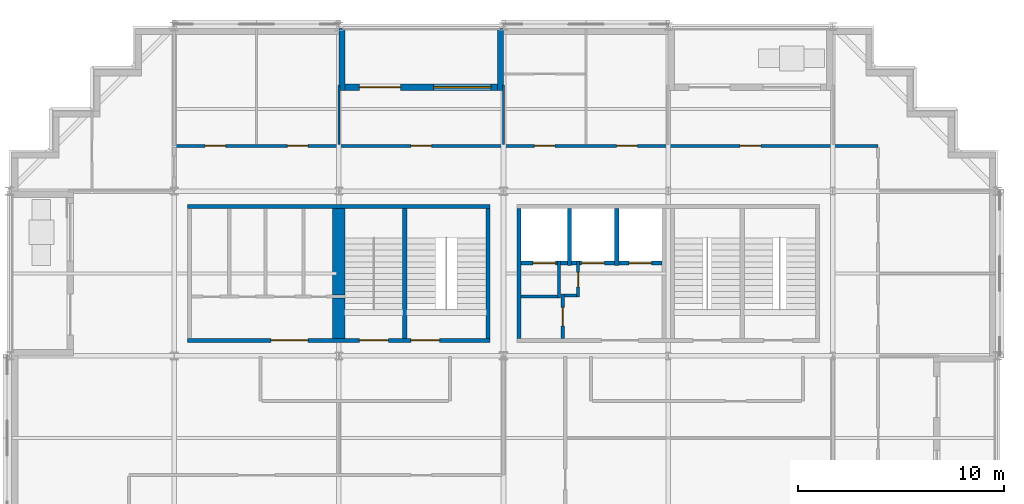
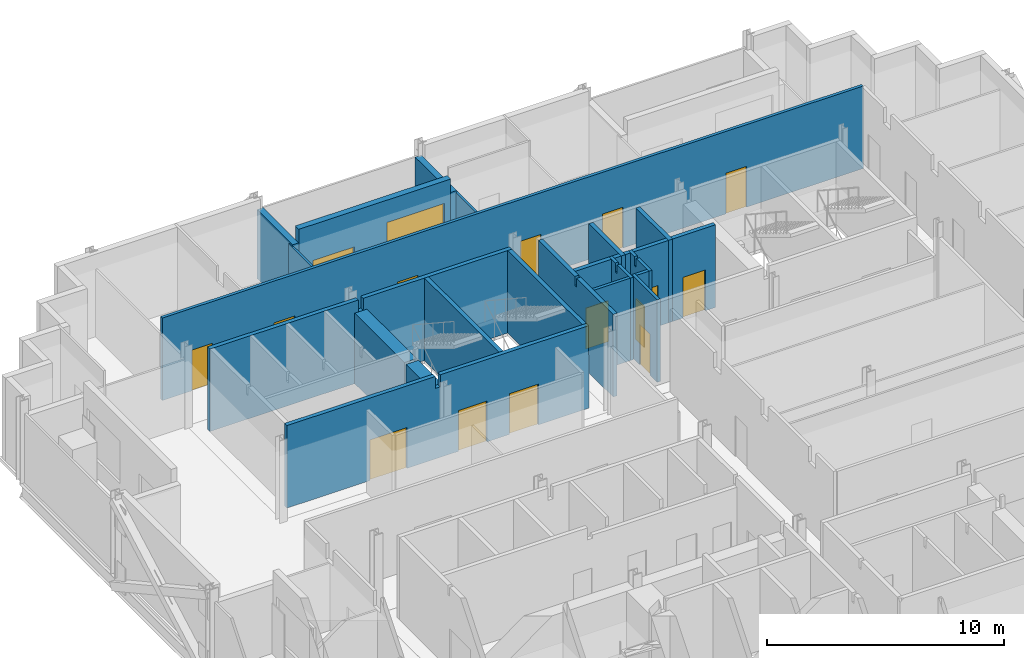
# One storey, part 10 of 15: 25 walls, 15 doors, 1 window, 16 openings.
"""IFC4 building model written with IfcOpenShell, lengths in metres."""

from ifc_helpers import new_model, si_unit, direction, frame, frame_2d, origin, place, context, subcontext, project, spatial, polyline, rectangle, outline, extrude, material, layer, layer_set, type_object, element, fill, save


model = new_model("IFC4")

# Units and contexts
model_context = context("Model", 3, precision=1e-05, world=origin(), true_north=direction((0.0, 1.0)))
body_context = subcontext(model_context, "Body", "Model", "MODEL_VIEW")
ifc_project = project(units=[si_unit("LENGTHUNIT", "METRE"), si_unit("AREAUNIT", "SQUARE_METRE"), si_unit("VOLUMEUNIT", "CUBIC_METRE"), si_unit("PLANEANGLEUNIT", "RADIAN"), si_unit("MASSUNIT", "GRAM", prefix="KILO")], contexts=[model_context])

# Site, building, storey
site_placement = place(None, origin())
site = spatial("IfcSite", under=ifc_project, at=site_placement, CompositionType="ELEMENT")
building_placement = place(site_placement, origin())
building = spatial("IfcBuilding", under=site, at=building_placement, Name="Immortelle Media Tower", CompositionType="ELEMENT")
storey_placement = place(building_placement, frame((0.0, 0.0, 100.800048828125)))
storey = spatial("IfcBuildingStorey", under=building, at=storey_placement, Name="L19", CompositionType="ELEMENT", Elevation=100.800048828125)

# Walls
ifc_material_1 = material(Name="Fire-rated gypsum board", Category="gypsum")
ifc_layer_1 = layer(ifc_material_1, 0.02490234375)
ifc_material_2 = material(Name="Steel ASTM A653 SS Gr 50 stud frame with mineral wool", Category="steel")
ifc_layer_2 = layer(ifc_material_2, 0.10009765625)
ifc_layer_3 = layer(ifc_material_1, 0.02490234375)
ifc_layer_set_1 = layer_set([ifc_layer_1, ifc_layer_2, ifc_layer_3], Name="Steel ASTM A653 SS Gr 50 stud frame with mineral wool")
wall_type_1 = type_object("IfcWallType", Name="Core partition 150", PredefinedType="PARTITIONING", material=ifc_layer_set_1)
wall_1_placement = place(storey_placement, frame((24.85009765625, 34.875, 0.0), z_axis=(0.0, 0.0, 1.0), x_axis=(1.0, 0.0, 0.0)))
element("IfcWall", 1, at=wall_1_placement, inside=storey, type_object=wall_type_1, Name="Core partition NE", PredefinedType="PARTITIONING", context=body_context, shape_type="SweptSolid", body=[
    extrude(rectangle(XDim=1.77490234375, YDim=0.14990234375, at=frame_2d((0.887451171875, 0.0))), origin(), (0.0, 0.0, 1.0), 4.25),
])
wall_2_placement = place(storey_placement, frame((26.699951171875, 34.800048828125, 0.0), z_axis=(0.0, 0.0, 1.0), x_axis=(0.0, 1.0, 0.0)))
element("IfcWall", 2, at=wall_2_placement, inside=storey, type_object=wall_type_1, Name="Core partition NE", PredefinedType="PARTITIONING", context=body_context, shape_type="SweptSolid", body=[
    extrude(outline(polyline([(0.0, 0.0), (1.800048828125, 0.0), (1.800048828125, 4.25), (1.281494140625, 4.25), (1.280517578125, 3.7890625), (1.119384765625, 3.7890625), (1.118408203125, 4.25), (0.0, 4.25), (0.0, 0.0)])), frame((0.0, 0.074951171875, 0.0), z_axis=(0.0, -1.0, 0.0), x_axis=(1.0, 0.0, 0.0)), (0.0, 0.0, 1.0), 0.14990234375),
])

# Wall, opening, door
wall_3_placement = place(storey_placement, frame((26.875, 32.85009765625, 0.0), z_axis=(0.0, 0.0, 1.0), x_axis=(0.0, 1.0, 0.0)))
wall_3 = element("IfcWall", 3, at=wall_3_placement, inside=storey, type_object=wall_type_1, Name="Core partition NE", PredefinedType="PARTITIONING", context=body_context, shape_type="SweptSolid", body=[
    extrude(rectangle(XDim=2.14990234375, YDim=0.14990234375, at=frame_2d((1.074951171875, 0.0))), origin(), (0.0, 0.0, 1.0), 4.25),
])
opening_1_placement = place(wall_3_placement, frame((0.60009765625, 0.0, 0.0)))
opening_1 = element("IfcOpeningElement", 4, at=opening_1_placement, cuts=wall_3, Name="Opening N6-K029", PredefinedType="OPENING", context=body_context, shape_type="SweptSolid", body=[
    extrude(rectangle(XDim=0.89990234375, YDim=2.10009765625, at=frame_2d((0.449951171875, 1.050048828125))), frame((0.0, 0.0849609375, 0.0), z_axis=(0.0, -1.0, 0.0), x_axis=(1.0, 0.0, 0.0)), (0.0, 0.0, 1.0), 0.169921875),
])
ifc_material_3 = material(Name="Galvanised steel door leaf and frame ASTM A653", Category="steel")
door_type_1 = type_object("IfcDoorType", Name="Service door 900 x 2100", OperationType="NOTDEFINED", PredefinedType="NOTDEFINED", material=ifc_material_3)
door_1_placement = place(opening_1_placement, origin())
door_1 = element("IfcDoor", 5, at=door_1_placement, inside=storey, type_object=door_type_1, Name="Service N6-K029", OperationType="SINGLE_SWING_RIGHT", OverallHeight=2.10009765625, OverallWidth=0.89990234375, PredefinedType="NOTDEFINED", context=body_context, shape_type="SweptSolid", body=[
    extrude(rectangle(XDim=0.89990234375, YDim=2.10009765625, at=frame_2d((0.449951171875, 1.050048828125))), frame((0.0, 0.02490234375, 0.0), z_axis=(0.0, -1.0, 0.0), x_axis=(1.0, 0.0, 0.0)), (0.0, 0.0, 1.0), 0.050048828125),
])
fill(opening_1, door_1)

# Wall
wall_4_placement = place(storey_placement, frame((26.949951171875, 34.925048828125, 0.0), z_axis=(0.0, 0.0, 1.0), x_axis=(1.0, 0.0, 0.0)))
element("IfcWall", 6, at=wall_4_placement, inside=storey, type_object=wall_type_1, Name="Core partition NE", PredefinedType="PARTITIONING", context=body_context, shape_type="SweptSolid", body=[
    extrude(rectangle(XDim=0.60009765625, YDim=0.14990234375, at=frame_2d((0.300048828125, 0.0))), origin(), (0.0, 0.0, 1.0), 4.25),
])

# Wall, opening, door
wall_5_placement = place(storey_placement, frame((27.625, 34.85009765625, 0.0), z_axis=(0.0, 0.0, 1.0), x_axis=(0.0, 1.0, 0.0)))
wall_5 = element("IfcWall", 7, at=wall_5_placement, inside=storey, type_object=wall_type_1, Name="Core partition NE", PredefinedType="PARTITIONING", context=body_context, shape_type="SweptSolid", body=[
    extrude(outline(polyline([(0.0, 0.0), (1.75, 0.0), (1.75, 4.25), (1.2314453125, 4.25), (1.23046875, 3.7890625), (1.069580078125, 3.7890625), (1.068603515625, 4.25), (0.0, 4.25), (0.0, 0.0)])), frame((0.0, 0.074951171875, 0.0), z_axis=(0.0, -1.0, 0.0), x_axis=(1.0, 0.0, 0.0)), (0.0, 0.0, 1.0), 0.14990234375),
])
opening_2_placement = place(wall_5_placement, frame((0.5, 0.0, 0.0)))
opening_2 = element("IfcOpeningElement", 8, at=opening_2_placement, cuts=wall_5, Name="Opening N6-K030", PredefinedType="OPENING", context=body_context, shape_type="SweptSolid", body=[
    extrude(rectangle(XDim=0.699951171875, YDim=2.10009765625, at=frame_2d((0.35009765625, 1.050048828125))), frame((0.0, 0.0849609375, 0.0), z_axis=(0.0, -1.0, 0.0), x_axis=(1.0, 0.0, 0.0)), (0.0, 0.0, 1.0), 0.169921875),
])
door_type_2 = type_object("IfcDoorType", Name="Service door 700 x 2100", OperationType="NOTDEFINED", PredefinedType="NOTDEFINED", material=ifc_material_3)
door_2_placement = place(opening_2_placement, origin())
door_2 = element("IfcDoor", 9, at=door_2_placement, inside=storey, type_object=door_type_2, Name="Service N6-K030", OperationType="SINGLE_SWING_LEFT", OverallHeight=2.10009765625, OverallWidth=0.699951171875, PredefinedType="NOTDEFINED", context=body_context, shape_type="SweptSolid", body=[
    extrude(rectangle(XDim=0.699951171875, YDim=2.10009765625, at=frame_2d((0.35009765625, 1.050048828125))), frame((0.0, 0.02490234375, 0.0), z_axis=(0.0, -1.0, 0.0), x_axis=(1.0, 0.0, 0.0)), (0.0, 0.0, 1.0), 0.050048828125),
])
fill(opening_2, door_2)

# Wall
ifc_layer_4 = layer(ifc_material_1, 0.03759765625)
ifc_layer_5 = layer(ifc_material_2, 0.125)
ifc_layer_6 = layer(ifc_material_1, 0.03759765625)
ifc_layer_set_2 = layer_set([ifc_layer_4, ifc_layer_5, ifc_layer_6], Name="Steel ASTM A653 SS Gr 50 stud frame with mineral wool")
wall_type_2 = type_object("IfcWallType", Name="Core shaft wall 200", PredefinedType="PARTITIONING", material=ifc_layer_set_2)
wall_6_placement = place(storey_placement, frame((24.75, 32.85009765625, 0.0), z_axis=(0.0, 0.0, 1.0), x_axis=(0.0, 1.0, 0.0)))
element("IfcWall", 10, at=wall_6_placement, inside=storey, type_object=wall_type_2, Name="Core shaft wall NE", PredefinedType="PARTITIONING", context=body_context, shape_type="SweptSolid", body=[
    extrude(outline(polyline([(0.0, 0.0), (6.2998046875, 0.0), (6.300048828125, 4.25), (3.2314453125, 4.25), (3.23046875, 3.7890625), (3.069580078125, 3.7890625), (3.068603515625, 4.25), (0.0, 4.25), (0.0, 0.0)])), frame((0.0, 0.10009765625, 0.0), z_axis=(0.0, -1.0, 0.0), x_axis=(1.0, 0.0, 0.0)), (0.0, 0.0, 1.0), 0.199951171875),
])

# Wall, opening, door
wall_7_placement = place(storey_placement, frame((24.85009765625, 36.5, 0.0), z_axis=(0.0, 0.0, 1.0), x_axis=(1.0, 0.0, 0.0)))
wall_7 = element("IfcWall", 11, at=wall_7_placement, inside=storey, type_object=wall_type_2, Name="Core shaft wall NE", PredefinedType="PARTITIONING", context=body_context, shape_type="SweptSolid", body=[
    extrude(rectangle(XDim=1.77490234375, YDim=0.199951171875, at=frame_2d((0.887451171875, 0.0))), origin(), (0.0, 0.0, 1.0), 4.25),
])
opening_3_placement = place(wall_7_placement, frame((0.574951171875, 0.0, 0.0)))
opening_3 = element("IfcOpeningElement", 12, at=opening_3_placement, cuts=wall_7, Name="Opening LD", PredefinedType="OPENING", context=body_context, shape_type="SweptSolid", body=[
    extrude(rectangle(XDim=1.10009765625, YDim=2.10009765625, at=frame_2d((0.550048828125, 1.050048828125))), frame((0.0, 0.10986328125, 0.0), z_axis=(0.0, -1.0, 0.0), x_axis=(1.0, 0.0, 0.0)), (0.0, 0.0, 1.0), 0.219970703125),
])
ifc_material_4 = material(Name="Stainless steel AISI 304", Category="steel")
door_type_3 = type_object("IfcDoorType", Name="Landing door 1100 x 2100", OperationType="SLIDING_TO_LEFT", PredefinedType="NOTDEFINED", material=ifc_material_4)
door_3_placement = place(opening_3_placement, origin())
door_3 = element("IfcDoor", 13, at=door_3_placement, inside=storey, type_object=door_type_3, Name="Landing door LR1 L19", OperationType="SLIDING_TO_LEFT", OverallHeight=2.10009765625, OverallWidth=1.10009765625, PredefinedType="NOTDEFINED", context=body_context, shape_type="SweptSolid", body=[
    extrude(rectangle(XDim=1.10009765625, YDim=2.10009765625, at=frame_2d((0.550048828125, 1.050048828125))), frame((0.0, 0.02490234375, 0.0), z_axis=(0.0, -1.0, 0.0), x_axis=(1.0, 0.0, 0.0)), (0.0, 0.0, 1.0), 0.050048828125),
])
fill(opening_3, door_3)

# Walls
wall_8_placement = place(storey_placement, frame((26.77490234375, 36.5, 0.0), z_axis=(0.0, 0.0, 1.0), x_axis=(1.0, 0.0, 0.0)))
element("IfcWall", 14, at=wall_8_placement, inside=storey, type_object=wall_type_2, Name="Core shaft wall NE", PredefinedType="PARTITIONING", context=body_context, shape_type="SweptSolid", body=[
    extrude(rectangle(XDim=0.3251953125, YDim=0.199951171875, at=frame_2d((0.16259765625, 0.0))), origin(), (0.0, 0.0, 1.0), 4.25),
])
wall_9_placement = place(storey_placement, frame((27.199951171875, 36.39990234375, 0.0), z_axis=(0.0, 0.0, 1.0), x_axis=(0.0, 1.0, 0.0)))
element("IfcWall", 15, at=wall_9_placement, inside=storey, type_object=wall_type_2, Name="Core shaft wall NE", PredefinedType="PARTITIONING", context=body_context, shape_type="SweptSolid", body=[
    extrude(rectangle(XDim=2.75, YDim=0.199951171875, at=frame_2d((1.375, 0.0))), origin(), (0.0, 0.0, 1.0), 4.25),
])
wall_10_placement = place(storey_placement, frame((27.300048828125, 36.5, 0.0), z_axis=(0.0, 0.0, 1.0), x_axis=(1.0, 0.0, 0.0)))
element("IfcWall", 16, at=wall_10_placement, inside=storey, type_object=wall_type_2, Name="Core shaft wall NE", PredefinedType="PARTITIONING", context=body_context, shape_type="SweptSolid", body=[
    extrude(rectangle(XDim=0.25, YDim=0.199951171875, at=frame_2d((0.125, 0.0))), origin(), (0.0, 0.0, 1.0), 4.25),
])

# Wall, opening, door
wall_11_placement = place(storey_placement, frame((27.699951171875, 36.5, 0.0), z_axis=(0.0, 0.0, 1.0), x_axis=(1.0, 0.0, 0.0)))
wall_11 = element("IfcWall", 17, at=wall_11_placement, inside=storey, type_object=wall_type_2, Name="Core shaft wall NE", PredefinedType="PARTITIONING", context=body_context, shape_type="SweptSolid", body=[
    extrude(rectangle(XDim=1.699951171875, YDim=0.199951171875, at=frame_2d((0.85009765625, 0.0))), origin(), (0.0, 0.0, 1.0), 4.25),
])
opening_4_placement = place(wall_11_placement, frame((0.10009765625, 0.0, 0.0)))
opening_4 = element("IfcOpeningElement", 18, at=opening_4_placement, cuts=wall_11, Name="Opening LD", PredefinedType="OPENING", context=body_context, shape_type="SweptSolid", body=[
    extrude(rectangle(XDim=1.10009765625, YDim=2.10009765625, at=frame_2d((0.550048828125, 1.050048828125))), frame((0.0, 0.10986328125, 0.0), z_axis=(0.0, -1.0, 0.0), x_axis=(1.0, 0.0, 0.0)), (0.0, 0.0, 1.0), 0.219970703125),
])
door_4_placement = place(opening_4_placement, origin())
door_4 = element("IfcDoor", 19, at=door_4_placement, inside=storey, type_object=door_type_3, Name="Landing door LR2 L19", OperationType="SLIDING_TO_LEFT", OverallHeight=2.10009765625, OverallWidth=1.10009765625, PredefinedType="NOTDEFINED", context=body_context, shape_type="SweptSolid", body=[
    extrude(rectangle(XDim=1.10009765625, YDim=2.10009765625, at=frame_2d((0.550048828125, 1.050048828125))), frame((0.0, 0.02490234375, 0.0), z_axis=(0.0, -1.0, 0.0), x_axis=(1.0, 0.0, 0.0)), (0.0, 0.0, 1.0), 0.050048828125),
])
fill(opening_4, door_4)

# Wall
wall_12_placement = place(storey_placement, frame((29.5, 36.39990234375, 0.0), z_axis=(0.0, 0.0, 1.0), x_axis=(0.0, 1.0, 0.0)))
element("IfcWall", 20, at=wall_12_placement, inside=storey, type_object=wall_type_2, Name="Core shaft wall NE", PredefinedType="PARTITIONING", context=body_context, shape_type="SweptSolid", body=[
    extrude(rectangle(XDim=2.75, YDim=0.199951171875, at=frame_2d((1.375, 0.0))), origin(), (0.0, 0.0, 1.0), 4.25),
])

# Wall, opening, door
wall_13_placement = place(storey_placement, frame((29.60009765625, 36.5, 0.0), z_axis=(0.0, 0.0, 1.0), x_axis=(1.0, 0.0, 0.0)))
wall_13 = element("IfcWall", 21, at=wall_13_placement, inside=storey, type_object=wall_type_2, Name="Core shaft wall NE", PredefinedType="PARTITIONING", context=body_context, shape_type="SweptSolid", body=[
    extrude(rectangle(XDim=2.099853515625, YDim=0.199951171875, at=frame_2d((1.0498046875, 0.0))), origin(), (0.0, 0.0, 1.0), 4.25),
])
opening_5_placement = place(wall_13_placement, frame((0.5, 0.0, 0.0)))
opening_5 = element("IfcOpeningElement", 22, at=opening_5_placement, cuts=wall_13, Name="Opening LD", PredefinedType="OPENING", context=body_context, shape_type="SweptSolid", body=[
    extrude(rectangle(XDim=1.10009765625, YDim=2.10009765625, at=frame_2d((0.550048828125, 1.050048828125))), frame((0.0, 0.10986328125, 0.0), z_axis=(0.0, -1.0, 0.0), x_axis=(1.0, 0.0, 0.0)), (0.0, 0.0, 1.0), 0.219970703125),
])
door_5_placement = place(opening_5_placement, origin())
door_5 = element("IfcDoor", 23, at=door_5_placement, inside=storey, type_object=door_type_3, Name="Landing door LR3 L19", OperationType="SLIDING_TO_LEFT", OverallHeight=2.10009765625, OverallWidth=1.10009765625, PredefinedType="NOTDEFINED", context=body_context, shape_type="SweptSolid", body=[
    extrude(rectangle(XDim=1.10009765625, YDim=2.10009765625, at=frame_2d((0.550048828125, 1.050048828125))), frame((0.0, 0.02490234375, 0.0), z_axis=(0.0, -1.0, 0.0), x_axis=(1.0, 0.0, 0.0)), (0.0, 0.0, 1.0), 0.050048828125),
])
fill(opening_5, door_5)

# Wall, openings, doors
ifc_layer_7 = layer(ifc_material_1, 0.012451171875)
ifc_layer_8 = layer(ifc_material_2, 0.125)
ifc_layer_9 = layer(ifc_material_1, 0.012451171875)
ifc_layer_set_3 = layer_set([ifc_layer_7, ifc_layer_8, ifc_layer_9], Name="Steel ASTM A653 SS Gr 50 stud frame with mineral wool")
wall_type_3 = type_object("IfcWallType", Name="Corridor wall 150", PredefinedType="PARTITIONING", material=ifc_layer_set_3)
wall_14_placement = place(storey_placement, frame((8.050048828125, 42.199951171875, 0.0), z_axis=(0.0, 0.0, 1.0), x_axis=(1.0, 0.0, 0.0)))
wall_14 = element("IfcWall", 24, at=wall_14_placement, inside=storey, type_object=wall_type_3, Name="Partition L19-048", PredefinedType="PARTITIONING", context=body_context, shape_type="SweptSolid", body=[
    extrude(rectangle(XDim=34.14990234375, YDim=0.14990234375, at=frame_2d((17.074951171875, 0.0))), origin(), (0.0, 0.0, 1.0), 4.25),
])
opening_6_placement = place(wall_14_placement, frame((11.449951171875, 0.0, 0.0)))
opening_6 = element("IfcOpeningElement", 25, at=opening_6_placement, cuts=wall_14, Name="Opening N6-F028", PredefinedType="OPENING", context=body_context, shape_type="SweptSolid", body=[
    extrude(rectangle(XDim=1.0, YDim=2.10009765625, at=frame_2d((0.5, 1.050048828125))), frame((0.0, 0.0849609375, 0.0), z_axis=(0.0, -1.0, 0.0), x_axis=(1.0, 0.0, 0.0)), (0.0, 0.0, 1.0), 0.169921875),
])
opening_7_placement = place(wall_14_placement, frame((27.449951171875, 0.0, 0.0)))
opening_7 = element("IfcOpeningElement", 26, at=opening_7_placement, cuts=wall_14, Name="Opening N6-F029", PredefinedType="OPENING", context=body_context, shape_type="SweptSolid", body=[
    extrude(rectangle(XDim=1.0, YDim=2.10009765625, at=frame_2d((0.5, 1.050048828125))), frame((0.0, 0.0849609375, 0.0), z_axis=(0.0, -1.0, 0.0), x_axis=(1.0, 0.0, 0.0)), (0.0, 0.0, 1.0), 0.169921875),
])
opening_8_placement = place(wall_14_placement, frame((1.449951171875, 0.0, 0.0)))
opening_8 = element("IfcOpeningElement", 27, at=opening_8_placement, cuts=wall_14, Name="Opening N6-F030", PredefinedType="OPENING", context=body_context, shape_type="SweptSolid", body=[
    extrude(rectangle(XDim=1.0, YDim=2.10009765625, at=frame_2d((0.5, 1.050048828125))), frame((0.0, 0.0849609375, 0.0), z_axis=(0.0, -1.0, 0.0), x_axis=(1.0, 0.0, 0.0)), (0.0, 0.0, 1.0), 0.169921875),
])
opening_9_placement = place(wall_14_placement, frame((5.449951171875, 0.0, 0.0)))
opening_9 = element("IfcOpeningElement", 28, at=opening_9_placement, cuts=wall_14, Name="Opening N6-F031", PredefinedType="OPENING", context=body_context, shape_type="SweptSolid", body=[
    extrude(rectangle(XDim=1.0, YDim=2.10009765625, at=frame_2d((0.5, 1.050048828125))), frame((0.0, 0.0849609375, 0.0), z_axis=(0.0, -1.0, 0.0), x_axis=(1.0, 0.0, 0.0)), (0.0, 0.0, 1.0), 0.169921875),
])
opening_10_placement = place(wall_14_placement, frame((17.449951171875, 0.0, 0.0)))
opening_10 = element("IfcOpeningElement", 29, at=opening_10_placement, cuts=wall_14, Name="Opening N6-F032", PredefinedType="OPENING", context=body_context, shape_type="SweptSolid", body=[
    extrude(rectangle(XDim=1.0, YDim=2.10009765625, at=frame_2d((0.5, 1.050048828125))), frame((0.0, 0.0849609375, 0.0), z_axis=(0.0, -1.0, 0.0), x_axis=(1.0, 0.0, 0.0)), (0.0, 0.0, 1.0), 0.169921875),
])
opening_11_placement = place(wall_14_placement, frame((21.449951171875, 0.0, 0.0)))
opening_11 = element("IfcOpeningElement", 30, at=opening_11_placement, cuts=wall_14, Name="Opening N6-F034", PredefinedType="OPENING", context=body_context, shape_type="SweptSolid", body=[
    extrude(rectangle(XDim=1.0, YDim=2.10009765625, at=frame_2d((0.5, 1.050048828125))), frame((0.0, 0.0849609375, 0.0), z_axis=(0.0, -1.0, 0.0), x_axis=(1.0, 0.0, 0.0)), (0.0, 0.0, 1.0), 0.169921875),
])
ifc_material_5 = material(Name="Timber veneered door leaf, galvanised steel frame ASTM A653", Category="steel")
door_type_4 = type_object("IfcDoorType", Name="Room door 1000 x 2100", OperationType="NOTDEFINED", PredefinedType="DOOR", material=ifc_material_5)
door_6_placement = place(opening_6_placement, origin())
door_6 = element("IfcDoor", 31, at=door_6_placement, inside=storey, type_object=door_type_4, Name="Door N6-F028", OperationType="SINGLE_SWING_LEFT", OverallHeight=2.10009765625, OverallWidth=1.0, PredefinedType="DOOR", context=body_context, shape_type="SweptSolid", body=[
    extrude(rectangle(XDim=1.0, YDim=2.10009765625, at=frame_2d((0.5, 1.050048828125))), frame((0.0, 0.02490234375, 0.0), z_axis=(0.0, -1.0, 0.0), x_axis=(1.0, 0.0, 0.0)), (0.0, 0.0, 1.0), 0.050048828125),
])
fill(opening_6, door_6)
door_7_placement = place(opening_7_placement, origin())
door_7 = element("IfcDoor", 32, at=door_7_placement, inside=storey, type_object=door_type_4, Name="Door N6-F029", OperationType="SINGLE_SWING_RIGHT", OverallHeight=2.10009765625, OverallWidth=1.0, PredefinedType="DOOR", context=body_context, shape_type="SweptSolid", body=[
    extrude(rectangle(XDim=1.0, YDim=2.10009765625, at=frame_2d((0.5, 1.050048828125))), frame((0.0, 0.02490234375, 0.0), z_axis=(0.0, -1.0, 0.0), x_axis=(1.0, 0.0, 0.0)), (0.0, 0.0, 1.0), 0.050048828125),
])
fill(opening_7, door_7)
door_8_placement = place(opening_8_placement, origin())
door_8 = element("IfcDoor", 33, at=door_8_placement, inside=storey, type_object=door_type_4, Name="Door N6-F030", OperationType="SINGLE_SWING_LEFT", OverallHeight=2.10009765625, OverallWidth=1.0, PredefinedType="DOOR", context=body_context, shape_type="SweptSolid", body=[
    extrude(rectangle(XDim=1.0, YDim=2.10009765625, at=frame_2d((0.5, 1.050048828125))), frame((0.0, 0.02490234375, 0.0), z_axis=(0.0, -1.0, 0.0), x_axis=(1.0, 0.0, 0.0)), (0.0, 0.0, 1.0), 0.050048828125),
])
fill(opening_8, door_8)
door_9_placement = place(opening_9_placement, origin())
door_9 = element("IfcDoor", 34, at=door_9_placement, inside=storey, type_object=door_type_4, Name="Door N6-F031", OperationType="SINGLE_SWING_LEFT", OverallHeight=2.10009765625, OverallWidth=1.0, PredefinedType="DOOR", context=body_context, shape_type="SweptSolid", body=[
    extrude(rectangle(XDim=1.0, YDim=2.10009765625, at=frame_2d((0.5, 1.050048828125))), frame((0.0, 0.02490234375, 0.0), z_axis=(0.0, -1.0, 0.0), x_axis=(1.0, 0.0, 0.0)), (0.0, 0.0, 1.0), 0.050048828125),
])
fill(opening_9, door_9)
door_10_placement = place(opening_10_placement, origin())
door_10 = element("IfcDoor", 35, at=door_10_placement, inside=storey, type_object=door_type_4, Name="Door N6-F032", OperationType="SINGLE_SWING_RIGHT", OverallHeight=2.10009765625, OverallWidth=1.0, PredefinedType="DOOR", context=body_context, shape_type="SweptSolid", body=[
    extrude(rectangle(XDim=1.0, YDim=2.10009765625, at=frame_2d((0.5, 1.050048828125))), frame((0.0, 0.02490234375, 0.0), z_axis=(0.0, -1.0, 0.0), x_axis=(1.0, 0.0, 0.0)), (0.0, 0.0, 1.0), 0.050048828125),
])
fill(opening_10, door_10)
door_11_placement = place(opening_11_placement, origin())
door_11 = element("IfcDoor", 36, at=door_11_placement, inside=storey, type_object=door_type_4, Name="Door N6-F034", OperationType="SINGLE_SWING_RIGHT", OverallHeight=2.10009765625, OverallWidth=1.0, PredefinedType="DOOR", context=body_context, shape_type="SweptSolid", body=[
    extrude(rectangle(XDim=1.0, YDim=2.10009765625, at=frame_2d((0.5, 1.050048828125))), frame((0.0, 0.02490234375, 0.0), z_axis=(0.0, -1.0, 0.0), x_axis=(1.0, 0.0, 0.0)), (0.0, 0.0, 1.0), 0.050048828125),
])
fill(opening_11, door_11)

# Wall, openings, door, window
ifc_material_6 = material(Name="Pale aluminium cladding panel", Category="aluminium")
ifc_layer_10 = layer(ifc_material_6, 0.030029296875)
ifc_layer_11 = layer(ifc_material_2, 0.257568359375)
ifc_material_7 = material(Name="Moisture-resistant gypsum board", Category="gypsum")
ifc_layer_12 = layer(ifc_material_7, 0.012451171875)
ifc_layer_set_4 = layer_set([ifc_layer_10, ifc_layer_11, ifc_layer_12], Name="Steel ASTM A653 SS Gr 50 stud frame with mineral wool")
wall_type_4 = type_object("IfcWallType", Name="Facade wall 300", PredefinedType="SOLIDWALL", material=ifc_layer_set_4)
wall_15_placement = place(storey_placement, frame((23.699951171875, 45.050048828125, 0.0), z_axis=(0.0, 0.0, 1.0), x_axis=(-1.0, 0.0, 0.0)))
wall_15 = element("IfcWall", 37, at=wall_15_placement, inside=storey, type_object=wall_type_4, Name="Loggia wall L19 N21", PredefinedType="SOLIDWALL", context=body_context, shape_type="SweptSolid", body=[
    extrude(rectangle(XDim=7.39990234375, YDim=0.300048828125, at=frame_2d((3.699951171875, 0.0))), origin(), (0.0, 0.0, 1.0), 4.25),
])
opening_12_placement = place(wall_15_placement, frame((0.300048828125, 0.0, 0.89990234375)))
opening_12 = element("IfcOpeningElement", 38, at=opening_12_placement, cuts=wall_15, Name="Opening W1", PredefinedType="OPENING", context=body_context, shape_type="SweptSolid", body=[
    extrude(rectangle(XDim=2.800048828125, YDim=2.199951171875, at=frame_2d((1.39990234375, 1.10009765625))), frame((0.0, 0.159912109375, 0.0), z_axis=(0.0, -1.0, 0.0), x_axis=(1.0, 0.0, 0.0)), (0.0, 0.0, 1.0), 0.320068359375),
])
opening_13_placement = place(wall_15_placement, frame((4.699951171875, 0.0, 0.0)))
opening_13 = element("IfcOpeningElement", 39, at=opening_13_placement, cuts=wall_15, Name="Opening N6-E008", PredefinedType="OPENING", context=body_context, shape_type="SweptSolid", body=[
    extrude(rectangle(XDim=2.0, YDim=2.39990234375, at=frame_2d((1.0, 1.199951171875))), frame((0.0, 0.159912109375, 0.0), z_axis=(0.0, -1.0, 0.0), x_axis=(1.0, 0.0, 0.0)), (0.0, 0.0, 1.0), 0.320068359375),
])
ifc_material_8 = material(Name="Aluminium frame, glazed leaves", Category="aluminium")
door_type_5 = type_object("IfcDoorType", Name="Loggia door 2000 x 2400", OperationType="DOUBLE_DOOR_SINGLE_SWING", PredefinedType="DOOR", material=ifc_material_8)
door_12_placement = place(opening_13_placement, origin())
door_12 = element("IfcDoor", 40, at=door_12_placement, inside=storey, type_object=door_type_5, Name="Door N6-E008", OperationType="DOUBLE_DOOR_SINGLE_SWING", OverallHeight=2.39990234375, OverallWidth=2.0, PredefinedType="DOOR", context=body_context, shape_type="SweptSolid", body=[
    extrude(rectangle(XDim=2.0, YDim=2.39990234375, at=frame_2d((1.0, 1.199951171875))), frame((0.0, 0.02490234375, 0.0), z_axis=(0.0, -1.0, 0.0), x_axis=(1.0, 0.0, 0.0)), (0.0, 0.0, 1.0), 0.050048828125),
])
fill(opening_13, door_12)
ifc_material_9 = material(Name="Aluminium frame", Category="aluminium")
window_type = type_object("IfcWindowType", Name="Window 2800 x 2200", PartitioningType="SINGLE_PANEL", PredefinedType="WINDOW", material=ifc_material_9)
window_placement = place(opening_12_placement, origin())
window = element("IfcWindow", 41, at=window_placement, inside=storey, type_object=window_type, Name="Window L19 L19-R21-B2", OverallHeight=2.199951171875, OverallWidth=2.800048828125, PartitioningType="SINGLE_PANEL", PredefinedType="WINDOW", context=body_context, shape_type="SweptSolid", body=[
    extrude(rectangle(XDim=2.800048828125, YDim=2.199951171875, at=frame_2d((1.39990234375, 1.10009765625))), frame((0.0, 0.030029296875, 0.0), z_axis=(0.0, -1.0, 0.0), x_axis=(1.0, 0.0, 0.0)), (0.0, 0.0, 1.0), 0.06005859375),
])
fill(opening_12, window)

# Walls
for number, where, z_axis, x_axis, name in (
    (42, (23.85009765625, 47.89990234375, 0.0), (0.0, 0.0, 1.0), (0.0, -1.0, 0.0), "Loggia cheek wall L19 N"),
    (43, (16.14990234375, 47.89990234375, 0.0), (0.0, 0.0, 1.0), (0.0, -1.0, 0.0), "Loggia cheek wall L19 N"),
):
    element("IfcWall", number, at=place(storey_placement, frame(where, z_axis=z_axis, x_axis=x_axis)), inside=storey, type_object=wall_type_4, Name=name, PredefinedType="SOLIDWALL", context=body_context, shape_type="SweptSolid", body=[
        extrude(rectangle(XDim=3.0, YDim=0.300048828125, at=frame_2d((1.5, 0.0))), origin(), (0.0, 0.0, 1.0), 3.555908203125),
    ])
ifc_material_10 = material(Name="Gypsum board", Category="gypsum")
ifc_layer_13 = layer(ifc_material_10, 0.012451171875)
ifc_layer_14 = layer(ifc_material_2, 0.074951171875)
ifc_layer_15 = layer(ifc_material_10, 0.012451171875)
ifc_layer_set_5 = layer_set([ifc_layer_13, ifc_layer_14, ifc_layer_15], Name="Steel ASTM A653 SS Gr 50 stud frame with mineral wool")
wall_type_5 = type_object("IfcWallType", Name="Partition 100", PredefinedType="PARTITIONING", material=ifc_layer_set_5)
for number, where, z_axis, x_axis, name in (
    (44, (16.0, 42.27490234375, 0.0), (0.0, 0.0, 1.0), (0.0, 1.0, 0.0), "Partition L19-051"),
    (45, (24.0, 42.27490234375, 0.0), (0.0, 0.0, 1.0), (0.0, 1.0, 0.0), "Partition L19-052"),
):
    element("IfcWall", number, at=place(storey_placement, frame(where, z_axis=z_axis, x_axis=x_axis)), inside=storey, type_object=wall_type_5, Name=name, PredefinedType="PARTITIONING", context=body_context, shape_type="SweptSolid", body=[
        extrude(rectangle(XDim=2.89501953125, YDim=0.10009765625, at=frame_2d((1.447509765625, 0.0))), origin(), (0.0, 0.0, 1.0), 3.469970703125),
    ])

# Wall, openings, doors
ifc_material_11 = material(Name="Concrete C60", Category="concrete")
ifc_layer_16 = layer(ifc_material_11, 0.199951171875)
ifc_layer_set_6 = layer_set([ifc_layer_16], Name="Concrete C60")
wall_type_6 = type_object("IfcWallType", Name="Stair shaft wall 200", PredefinedType="PARTITIONING", material=ifc_layer_set_6)
wall_16_placement = place(storey_placement, frame((8.64990234375, 32.75, 0.0), z_axis=(0.0, 0.0, 1.0), x_axis=(1.0, 0.0, 0.0)))
wall_16 = element("IfcWall", 46, at=wall_16_placement, inside=storey, type_object=wall_type_6, Name="Stair shaft wall NW", PredefinedType="PARTITIONING", context=body_context, shape_type="SweptSolid", body=[
    extrude(outline(polyline([(0.0, 0.0), (14.7001953125, 0.0), (14.699951171875, 4.25), (7.469482421875, 4.25), (7.468505859375, 3.6318359375), (7.2314453125, 3.6318359375), (7.23046875, 4.25), (0.0, 4.25), (0.0, 0.0)])), frame((0.0, 0.10009765625, 0.0), z_axis=(0.0, -1.0, 0.0), x_axis=(1.0, 0.0, 0.0)), (0.0, 0.0, 1.0), 0.199951171875),
])
opening_14_placement = place(wall_16_placement, frame((4.050048828125, 0.0, 0.0)))
opening_14 = element("IfcOpeningElement", 47, at=opening_14_placement, cuts=wall_16, Name="Opening N6-K024", PredefinedType="OPENING", context=body_context, shape_type="SweptSolid", body=[
    extrude(rectangle(XDim=1.800048828125, YDim=2.10009765625, at=frame_2d((0.89990234375, 1.050048828125))), frame((0.0, 0.10986328125, 0.0), z_axis=(0.0, -1.0, 0.0), x_axis=(1.0, 0.0, 0.0)), (0.0, 0.0, 1.0), 0.219970703125),
])
opening_15_placement = place(wall_16_placement, frame((8.35009765625, 0.0, 0.0)))
opening_15 = element("IfcOpeningElement", 48, at=opening_15_placement, cuts=wall_16, Name="Opening N6-K026", PredefinedType="OPENING", context=body_context, shape_type="SweptSolid", body=[
    extrude(rectangle(XDim=1.39990234375, YDim=2.10009765625, at=frame_2d((0.699951171875, 1.050048828125))), frame((0.0, 0.10986328125, 0.0), z_axis=(0.0, -1.0, 0.0), x_axis=(1.0, 0.0, 0.0)), (0.0, 0.0, 1.0), 0.219970703125),
])
opening_16_placement = place(wall_16_placement, frame((10.85009765625, 0.0, 0.0)))
opening_16 = element("IfcOpeningElement", 49, at=opening_16_placement, cuts=wall_16, Name="Opening N6-K027", PredefinedType="OPENING", context=body_context, shape_type="SweptSolid", body=[
    extrude(rectangle(XDim=1.39990234375, YDim=2.10009765625, at=frame_2d((0.699951171875, 1.050048828125))), frame((0.0, 0.10986328125, 0.0), z_axis=(0.0, -1.0, 0.0), x_axis=(1.0, 0.0, 0.0)), (0.0, 0.0, 1.0), 0.219970703125),
])
door_type_6 = type_object("IfcDoorType", Name="Lift lobby door 1800 x 2100", OperationType="DOUBLE_DOOR_SINGLE_SWING", PredefinedType="NOTDEFINED", material=ifc_material_3)
door_13_placement = place(opening_14_placement, origin())
door_13 = element("IfcDoor", 50, at=door_13_placement, inside=storey, type_object=door_type_6, Name="Lift lobby N6-K024", OperationType="DOUBLE_DOOR_SINGLE_SWING", OverallHeight=2.10009765625, OverallWidth=1.800048828125, PredefinedType="NOTDEFINED", context=body_context, shape_type="SweptSolid", body=[
    extrude(rectangle(XDim=1.800048828125, YDim=2.10009765625, at=frame_2d((0.89990234375, 1.050048828125))), frame((0.0, 0.02490234375, 0.0), z_axis=(0.0, -1.0, 0.0), x_axis=(1.0, 0.0, 0.0)), (0.0, 0.0, 1.0), 0.050048828125),
])
fill(opening_14, door_13)
door_type_7 = type_object("IfcDoorType", Name="Stair door 1400 x 2100", OperationType="DOUBLE_DOOR_SINGLE_SWING", PredefinedType="NOTDEFINED", material=ifc_material_3)
door_14_placement = place(opening_15_placement, origin())
door_14 = element("IfcDoor", 51, at=door_14_placement, inside=storey, type_object=door_type_7, Name="Stair N6-K026", OperationType="DOUBLE_DOOR_SINGLE_SWING", OverallHeight=2.10009765625, OverallWidth=1.39990234375, PredefinedType="NOTDEFINED", context=body_context, shape_type="SweptSolid", body=[
    extrude(rectangle(XDim=1.39990234375, YDim=2.10009765625, at=frame_2d((0.699951171875, 1.050048828125))), frame((0.0, 0.02490234375, 0.0), z_axis=(0.0, -1.0, 0.0), x_axis=(1.0, 0.0, 0.0)), (0.0, 0.0, 1.0), 0.050048828125),
])
fill(opening_15, door_14)
door_15_placement = place(opening_16_placement, origin())
door_15 = element("IfcDoor", 52, at=door_15_placement, inside=storey, type_object=door_type_7, Name="Stair N6-K027", OperationType="DOUBLE_DOOR_SINGLE_SWING", OverallHeight=2.10009765625, OverallWidth=1.39990234375, PredefinedType="NOTDEFINED", context=body_context, shape_type="SweptSolid", body=[
    extrude(rectangle(XDim=1.39990234375, YDim=2.10009765625, at=frame_2d((0.699951171875, 1.050048828125))), frame((0.0, 0.02490234375, 0.0), z_axis=(0.0, -1.0, 0.0), x_axis=(1.0, 0.0, 0.0)), (0.0, 0.0, 1.0), 0.050048828125),
])
fill(opening_16, door_15)

# Walls
wall_17_placement = place(storey_placement, frame((8.64990234375, 39.25, 0.0), z_axis=(0.0, 0.0, 1.0), x_axis=(1.0, 0.0, 0.0)))
element("IfcWall", 53, at=wall_17_placement, inside=storey, type_object=wall_type_6, Name="Stair shaft wall NW", PredefinedType="PARTITIONING", context=body_context, shape_type="SweptSolid", body=[
    extrude(outline(polyline([(0.0, 0.0), (14.7001953125, 0.0), (14.699951171875, 4.25), (7.469482421875, 4.25), (7.468505859375, 3.6318359375), (7.2314453125, 3.6318359375), (7.23046875, 4.25), (0.0, 4.25), (0.0, 0.0)])), frame((0.0, 0.10009765625, 0.0), z_axis=(0.0, -1.0, 0.0), x_axis=(1.0, 0.0, 0.0)), (0.0, 0.0, 1.0), 0.199951171875),
])
for number, where, z_axis, x_axis, name in (
    (54, (19.199951171875, 32.85009765625, 0.0), (0.0, 0.0, 1.0), (0.0, 1.0, 0.0), "Stair shaft wall NW"),
    (55, (23.25, 32.85009765625, 0.0), (0.0, 0.0, 1.0), (0.0, 1.0, 0.0), "Stair shaft wall NW"),
):
    element("IfcWall", number, at=place(storey_placement, frame(where, z_axis=z_axis, x_axis=x_axis)), inside=storey, type_object=wall_type_6, Name=name, PredefinedType="PARTITIONING", context=body_context, shape_type="SweptSolid", body=[
        extrude(rectangle(XDim=6.2998046875, YDim=0.199951171875, at=frame_2d((3.14990234375, 0.0))), origin(), (0.0, 0.0, 1.0), 4.25),
    ])
ifc_layer_17 = layer(ifc_material_11, 0.60009765625)
ifc_layer_set_7 = layer_set([ifc_layer_17], Name="Concrete C60")
wall_type_7 = type_object("IfcWallType", Name="Stair shaft wall 600", PredefinedType="PARTITIONING", material=ifc_layer_set_7)
wall_18_placement = place(storey_placement, frame((16.0, 32.85009765625, 0.0), z_axis=(0.0, 0.0, 1.0), x_axis=(0.0, 1.0, 0.0)))
element("IfcWall", 56, at=wall_18_placement, inside=storey, type_object=wall_type_7, Name="Stair shaft wall NW", PredefinedType="PARTITIONING", context=body_context, shape_type="SweptSolid", body=[
    extrude(rectangle(XDim=1.949951171875, YDim=0.60009765625, at=frame_2d((0.97509765625, 0.0))), origin(), (0.0, 0.0, 1.0), 3.6318359375),
])
wall_19_placement = place(storey_placement, frame((16.0, 34.949951171875, 0.0), z_axis=(0.0, 0.0, 1.0), x_axis=(0.0, 1.0, 0.0)))
element("IfcWall", 57, at=wall_19_placement, inside=storey, type_object=wall_type_7, Name="Stair shaft wall NW", PredefinedType="PARTITIONING", context=body_context, shape_type="SweptSolid", body=[
    extrude(rectangle(XDim=4.199951171875, YDim=0.60009765625, at=frame_2d((2.10009765625, 0.0))), origin(), (0.0, 0.0, 1.0), 3.6318359375),
])

save(model, "model.ifc")
